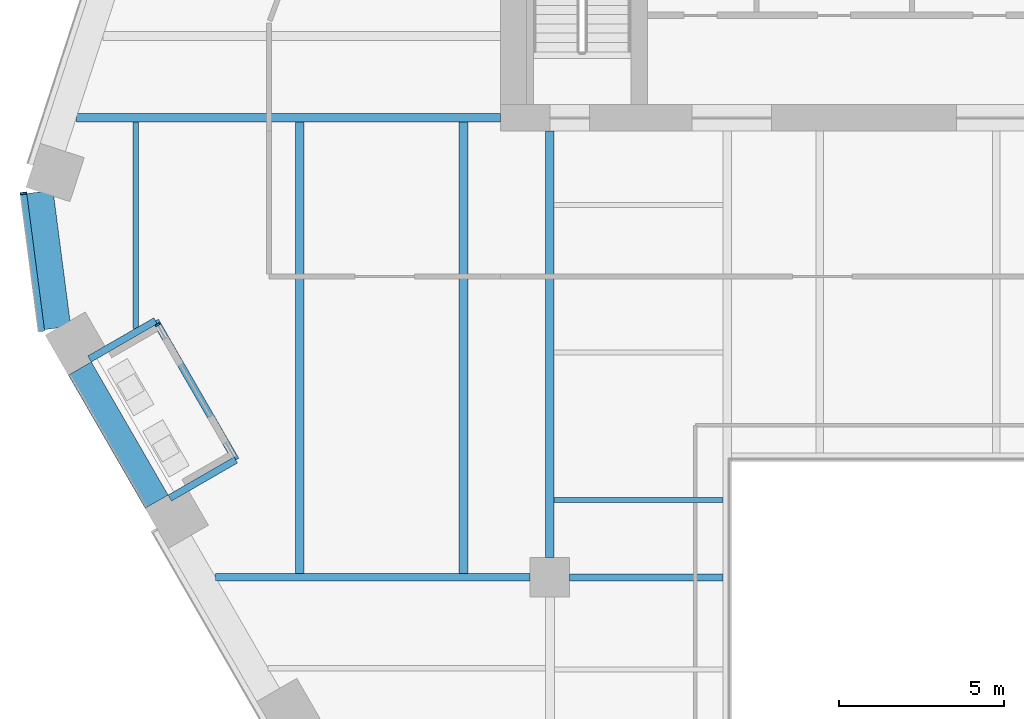
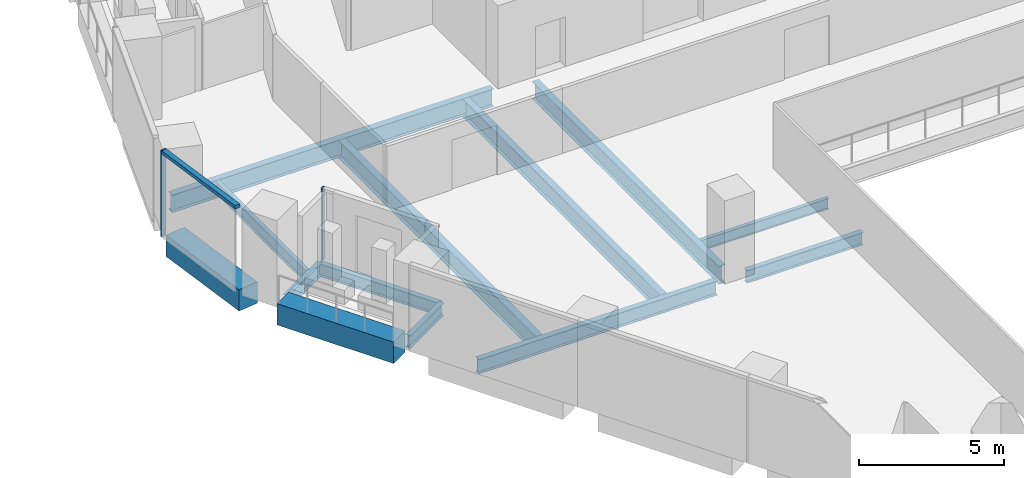
# One storey, part 3 of 24: 13 beams, 3 members, 2 elements without a shape of their own.
"""IFC4 building model written with IfcOpenShell, lengths in metres."""

from ifc_helpers import new_model, si_unit, direction, frame, origin, origin_2d, place, context, subcontext, project, spatial, rectangle, i_section, extrude, material, layer, layer_set, material_profile, profile_set, type_object, element, aggregate, save


model = new_model("IFC4")

# Units and contexts
model_context = context("Model", 3, precision=1e-05, world=origin(), true_north=direction((0.0, 1.0)))
body_context = subcontext(model_context, "Body", "Model", "MODEL_VIEW")
ifc_project = project(units=[si_unit("LENGTHUNIT", "METRE"), si_unit("AREAUNIT", "SQUARE_METRE"), si_unit("VOLUMEUNIT", "CUBIC_METRE"), si_unit("PLANEANGLEUNIT", "RADIAN"), si_unit("MASSUNIT", "GRAM", prefix="KILO")], contexts=[model_context])

# Site, building, storey
site_placement = place(None, origin())
site = spatial("IfcSite", under=ifc_project, at=site_placement, CompositionType="ELEMENT")
building_placement = place(site_placement, origin())
building = spatial("IfcBuilding", under=site, at=building_placement, Name="Isthmus Gate Tower", CompositionType="ELEMENT")
storey_placement = place(building_placement, frame((0.0, 0.0, 159.0)))
storey = spatial("IfcBuildingStorey", under=building, at=storey_placement, Name="L39", CompositionType="ELEMENT", Elevation=159.0)

# Curtain wall, members
ifc_material_1 = material(Name="Aluminium, pale champagne anodised", Category="aluminium")
ifc_layer_1 = layer(ifc_material_1, 0.199951171875)
ifc_layer_set_1 = layer_set([ifc_layer_1], Name="CW-1 UNITISED CURTAIN WALL 200 DEEP")
curtain_wall_type_1 = type_object("IfcCurtainWallType", Name="CW-1 UNITISED CURTAIN WALL 200 DEEP", PredefinedType="NOTDEFINED", material=ifc_layer_set_1)
curtain_wall_1_placement = place(storey_placement, origin())
curtain_wall_1 = element("IfcCurtainWall", 1, at=curtain_wall_1_placement, inside=storey, type_object=curtain_wall_type_1, Name="CW-1 NW-SW L39", PredefinedType="NOTDEFINED")
ifc_material_2 = material(Name="Aluminium, pale champagne anodised", Category="aluminium")
ifc_material_profile_1 = material_profile(ifc_material_2, rectangle(XDim=0.06005859375, YDim=0.199951171875, at=origin_2d()), Name="60x200")
ifc_profile_set_1 = profile_set([ifc_material_profile_1], Name="Aluminium, pale champagne anodised")
member_type_1 = type_object("IfcMemberType", Name="CW-1 MULLION 60 X 200", PredefinedType="MULLION", material=ifc_profile_set_1)
member_1_placement = place(storey_placement, frame((-29.42724609375, -1.88525390625, 0.0), z_axis=(0.0, 0.0, 1.0), x_axis=(0.129164534, -0.991623175988, 0.0)))
member_1 = element("IfcMember", 2, at=member_1_placement, type_object=member_type_1, Name="CW-1 mullion", PredefinedType="MULLION", context=body_context, shape_type="SweptSolid", body=[
    extrude(rectangle(XDim=0.06005859375, YDim=0.199951171875, at=origin_2d()), origin(), (0.0, 0.0, 1.0), 3.64990234375),
])
ifc_material_3 = material(Name="Aluminium, pale champagne anodised", Category="aluminium")
ifc_material_profile_2 = material_profile(ifc_material_3, rectangle(XDim=0.199951171875, YDim=0.139892578125, at=origin_2d()), Name="200x140")
ifc_profile_set_2 = profile_set([ifc_material_profile_2], Name="Aluminium, pale champagne anodised")
member_type_2 = type_object("IfcMemberType", Name="CW-1 TRANSOM 200 X 140", PredefinedType="USERDEFINED", material=ifc_profile_set_2)
member_2_placement = place(storey_placement, frame((-29.42333984375, -1.9150390625, 3.580078125), z_axis=(0.129149481977, -0.991625136483, 0.0), x_axis=(0.991625136483, 0.129149481977, 0.0)))
member_2 = element("IfcMember", 3, at=member_2_placement, type_object=member_type_2, Name="CW-1 transom", ObjectType="TRANSOM", PredefinedType="USERDEFINED", context=body_context, shape_type="SweptSolid", body=[
    extrude(rectangle(XDim=0.199951171875, YDim=0.139892578125, at=origin_2d()), origin(), (0.0, 0.0, 1.0), 4.181396484375),
])
aggregate(curtain_wall_1, [member_1, member_2])

# Curtain wall, member
ifc_material_4 = material(Name="Aluminium, pale champagne anodised", Category="aluminium")
ifc_layer_2 = layer(ifc_material_4, 0.14990234375)
ifc_layer_set_2 = layer_set([ifc_layer_2], Name="CW-6 LOGGIA BACK WALL GLAZING 150 DEEP")
curtain_wall_type_2 = type_object("IfcCurtainWallType", Name="CW-6 LOGGIA BACK WALL GLAZING 150 DEEP", PredefinedType="NOTDEFINED", material=ifc_layer_set_2)
curtain_wall_2_placement = place(storey_placement, origin())
curtain_wall_2 = element("IfcCurtainWall", 4, at=curtain_wall_2_placement, inside=storey, type_object=curtain_wall_type_2, Name="CW-6 SW L39", PredefinedType="NOTDEFINED")
ifc_material_5 = material(Name="Aluminium, pale champagne anodised", Category="aluminium")
ifc_material_profile_3 = material_profile(ifc_material_5, rectangle(XDim=0.06005859375, YDim=0.14990234375, at=origin_2d()), Name="60x150")
ifc_profile_set_3 = profile_set([ifc_material_profile_3], Name="Aluminium, pale champagne anodised")
member_type_3 = type_object("IfcMemberType", Name="CW-6 MULLION 60 X 150", PredefinedType="MULLION", material=ifc_profile_set_3)
member_3_placement = place(storey_placement, frame((-25.368408203125, -5.86083984375, 0.0), z_axis=(0.0, 0.0, 1.0), x_axis=(0.5, -0.866025403784, 0.0)))
member_3 = element("IfcMember", 5, at=member_3_placement, type_object=member_type_3, Name="CW-6 mullion", PredefinedType="MULLION", context=body_context, shape_type="SweptSolid", body=[
    extrude(rectangle(XDim=0.06005859375, YDim=0.14990234375, at=origin_2d()), origin(), (0.0, 0.0, 1.0), 3.050048828125),
])
aggregate(curtain_wall_2, [member_3])

# Beams
ifc_material_6 = material(Name="Concrete f'c 60 MPa", Category="concrete")
ifc_material_profile_4 = material_profile(ifc_material_6, rectangle(XDim=0.800048828125, YDim=0.89990234375, at=origin_2d()), Name="RC 800X900")
ifc_profile_set_4 = profile_set([ifc_material_profile_4], Name="Concrete f'c 60 MPa")
beam_type_1 = type_object("IfcBeamType", Name="RC SPANDREL 800 X 900", PredefinedType="SPANDREL", material=ifc_profile_set_4)
beam_1_placement = place(storey_placement, frame((-25.396484375, -11.2119140625, -0.449951171875), z_axis=(-0.500023913295, 0.866011596997, 0.0), x_axis=(-0.866011596997, -0.500023913295, 0.0)))
element("IfcBeam", 6, at=beam_1_placement, inside=storey, type_object=beam_type_1, Name="str-spandrel-L39-19", PredefinedType="SPANDREL", context=body_context, shape_type="SweptSolid", body=[
    extrude(rectangle(XDim=0.800048828125, YDim=0.89990234375, at=origin_2d()), origin(), (0.0, 0.0, 1.0), 4.650146484375),
])
beam_2_placement = place(storey_placement, frame((-28.392822265625, -5.955810546875, -0.449951171875), z_axis=(-0.129170777359, 0.991622362735, 0.0), x_axis=(-0.991622362735, -0.129170777359, 0.0)))
element("IfcBeam", 7, at=beam_2_placement, inside=storey, type_object=beam_type_1, Name="str-spandrel-L39-20", PredefinedType="SPANDREL", context=body_context, shape_type="SweptSolid", body=[
    extrude(rectangle(XDim=0.800048828125, YDim=0.89990234375, at=origin_2d()), origin(), (0.0, 0.0, 1.0), 4.15234375),
])
ifc_material_7 = material(Name="Structural steel ASTM A992 Gr 50", Category="steel")
ifc_material_profile_5 = material_profile(ifc_material_7, i_section(OverallWidth=0.15234375, OverallDepth=0.45068359375, WebThickness=0.0078125, FlangeThickness=0.010986328125, at=origin_2d()), Name="W18X35")
ifc_profile_set_5 = profile_set([ifc_material_profile_5], Name="Structural steel ASTM A992 Gr 50")
beam_type_2 = type_object("IfcBeamType", Name="STEEL FLOOR BEAM W18X35", PredefinedType="JOIST", material=ifc_profile_set_5)
beam_3_placement = place(storey_placement, frame((-13.3681640625, -11.16259765625, -0.37548828125), z_axis=(1.0, 0.0, 0.0), x_axis=(0.0, 1.0, 0.0)))
element("IfcBeam", 8, at=beam_3_placement, inside=storey, type_object=beam_type_2, Name="str-beam-L39-06-00", PredefinedType="JOIST", context=body_context, shape_type="SweptSolid", body=[
    extrude(i_section(OverallWidth=0.15234375, OverallDepth=0.45068359375, WebThickness=0.0078125, FlangeThickness=0.010986328125, at=origin_2d()), origin(), (0.0, 0.0, 1.0), 5.1015625),
])
ifc_material_8 = material(Name="Structural steel ASTM A992 Gr 50", Category="steel")
ifc_material_profile_6 = material_profile(ifc_material_8, i_section(OverallWidth=0.1650390625, OverallDepth=0.52392578125, WebThickness=0.009521484375, FlangeThickness=0.010986328125, at=origin_2d()), Name="W21X44")
ifc_profile_set_6 = profile_set([ifc_material_profile_6], Name="Structural steel ASTM A992 Gr 50")
beam_type_3 = type_object("IfcBeamType", Name="STEEL FLOOR BEAM W21X44", PredefinedType="JOIST", material=ifc_profile_set_6)
beam_4_placement = place(storey_placement, frame((-26.028564453125, -5.965576171875, -0.411865234375), z_axis=(0.0, 1.0, 0.0), x_axis=(-1.0, 0.0, 0.0)))
element("IfcBeam", 9, at=beam_4_placement, inside=storey, type_object=beam_type_3, Name="str-beam-L39-02-00", PredefinedType="JOIST", context=body_context, shape_type="SweptSolid", body=[
    extrude(i_section(OverallWidth=0.1650390625, OverallDepth=0.52392578125, WebThickness=0.009521484375, FlangeThickness=0.010986328125, at=origin_2d()), origin(), (0.0, 0.0, 1.0), 6.23388671875),
])
ifc_material_9 = material(Name="Structural steel ASTM A992 Gr 50", Category="steel")
ifc_material_profile_7 = material_profile(ifc_material_9, i_section(OverallWidth=0.263427734375, OverallDepth=0.749267578125, WebThickness=0.0126953125, FlangeThickness=0.015869140625, at=origin_2d()), Name="W30X90")
ifc_profile_set_7 = profile_set([ifc_material_profile_7], Name="Structural steel ASTM A992 Gr 50")
beam_type_4 = type_object("IfcBeamType", Name="STEEL FLOOR BEAM W30X90", PredefinedType="JOIST", material=ifc_profile_set_7)
for number, where, z_axis, x_axis, name in (
    (10, (-21.06982421875, -13.3857421875, -0.524658203125), (0.0, 1.0, 0.0), (-1.0, 0.0, 0.0), "str-beam-L39-02-01"),
    (11, (-16.111083984375, -13.3857421875, -0.524658203125), (0.0, 1.0, 0.0), (-1.0, 0.0, 0.0), "str-beam-L39-02-02"),
):
    element("IfcBeam", number, at=place(storey_placement, frame(where, z_axis=z_axis, x_axis=x_axis)), inside=storey, type_object=beam_type_4, Name=name, PredefinedType="JOIST", context=body_context, shape_type="SweptSolid", body=[
        extrude(i_section(OverallWidth=0.263427734375, OverallDepth=0.749267578125, WebThickness=0.0126953125, FlangeThickness=0.015869140625, at=origin_2d()), origin(), (0.0, 0.0, 1.0), 13.654052734375),
    ])
ifc_material_10 = material(Name="Structural steel ASTM A992 Gr 50", Category="steel")
ifc_material_profile_8 = material_profile(ifc_material_10, i_section(OverallWidth=0.20947265625, OverallDepth=0.533447265625, WebThickness=0.009521484375, FlangeThickness=0.015869140625, at=origin_2d()), Name="W21X62")
ifc_profile_set_8 = profile_set([ifc_material_profile_8], Name="Structural steel ASTM A992 Gr 50")
beam_type_5 = type_object("IfcBeamType", Name="STEEL GIRDER W21X62", PredefinedType="BEAM", material=ifc_profile_set_8)
beam_5_placement = place(storey_placement, frame((-12.89990234375, -13.5, -0.416748046875), z_axis=(1.0, 0.0, 0.0), x_axis=(0.0, 1.0, 0.0)))
element("IfcBeam", 12, at=beam_5_placement, inside=storey, type_object=beam_type_5, Name="str-girder-L39-02", PredefinedType="BEAM", context=body_context, shape_type="SweptSolid", body=[
    extrude(i_section(OverallWidth=0.20947265625, OverallDepth=0.533447265625, WebThickness=0.009521484375, FlangeThickness=0.015869140625, at=origin_2d()), origin(), (0.0, 0.0, 1.0), 4.63330078125),
])
ifc_material_11 = material(Name="Structural steel ASTM A992 Gr 50", Category="steel")
ifc_material_profile_9 = material_profile(ifc_material_11, i_section(OverallWidth=0.228515625, OverallDepth=0.6064453125, WebThickness=0.010986328125, FlangeThickness=0.017578125, at=origin_2d()), Name="W24X76")
ifc_profile_set_9 = profile_set([ifc_material_profile_9], Name="Structural steel ASTM A992 Gr 50")
beam_type_6 = type_object("IfcBeamType", Name="STEEL GIRDER W24X76", PredefinedType="BEAM", material=ifc_profile_set_9)
beam_6_placement = place(storey_placement, frame((-23.613525390625, -13.5, -0.453125), z_axis=(1.0, 0.0, 0.0), x_axis=(0.0, 1.0, 0.0)))
element("IfcBeam", 13, at=beam_6_placement, inside=storey, type_object=beam_type_6, Name="str-girder-L39-01", PredefinedType="BEAM", context=body_context, shape_type="SweptSolid", body=[
    extrude(i_section(OverallWidth=0.228515625, OverallDepth=0.6064453125, WebThickness=0.010986328125, FlangeThickness=0.017578125, at=origin_2d()), origin(), (0.0, 0.0, 1.0), 9.513427734375),
])
ifc_material_12 = material(Name="Structural steel ASTM A992 Gr 50", Category="steel")
ifc_material_profile_10 = material_profile(ifc_material_12, i_section(OverallWidth=0.263427734375, OverallDepth=0.749267578125, WebThickness=0.0126953125, FlangeThickness=0.015869140625, at=origin_2d()), Name="W30X90")
ifc_profile_set_10 = profile_set([ifc_material_profile_10], Name="Structural steel ASTM A992 Gr 50")
beam_type_7 = type_object("IfcBeamType", Name="STEEL GIRDER W30X90", PredefinedType="BEAM", material=ifc_profile_set_10)
beam_7_placement = place(storey_placement, frame((-13.5, -12.89990234375, -0.524658203125), z_axis=(0.0, 1.0, 0.0), x_axis=(-1.0, 0.0, 0.0)))
element("IfcBeam", 14, at=beam_7_placement, inside=storey, type_object=beam_type_7, Name="str-girder-L39-08", PredefinedType="BEAM", context=body_context, shape_type="SweptSolid", body=[
    extrude(i_section(OverallWidth=0.263427734375, OverallDepth=0.749267578125, WebThickness=0.0126953125, FlangeThickness=0.015869140625, at=origin_2d()), origin(), (0.0, 0.0, 1.0), 12.89990234375),
])
beam_8_placement = place(storey_placement, frame((-15.0, 0.39990234375, -0.524658203125), z_axis=(-1.0, 0.0, 0.0), x_axis=(0.0, -1.0, 0.0)))
element("IfcBeam", 15, at=beam_8_placement, inside=storey, type_object=beam_type_7, Name="str-girder-L39-13", PredefinedType="BEAM", context=body_context, shape_type="SweptSolid", body=[
    extrude(i_section(OverallWidth=0.263427734375, OverallDepth=0.749267578125, WebThickness=0.0126953125, FlangeThickness=0.015869140625, at=origin_2d()), origin(), (0.0, 0.0, 1.0), 12.826416015625),
])
ifc_material_13 = material(Name="Structural steel ASTM A992 Gr 50", Category="steel")
ifc_material_profile_11 = material_profile(ifc_material_13, i_section(OverallWidth=0.20947265625, OverallDepth=0.533447265625, WebThickness=0.009521484375, FlangeThickness=0.015869140625, at=origin_2d()), Name="W21X62")
ifc_profile_set_11 = profile_set([ifc_material_profile_11], Name="Structural steel ASTM A992 Gr 50")
beam_type_8 = type_object("IfcBeamType", Name="STEEL TRIMMER W21X62", PredefinedType="BEAM", material=ifc_profile_set_11)
beam_9_placement = place(storey_placement, frame((-25.431640625, -5.74169921875, -0.416748046875), z_axis=(0.500023965831, -0.866011566663, 0.0), x_axis=(0.866011566663, 0.500023965831, 0.0)))
element("IfcBeam", 16, at=beam_9_placement, inside=storey, type_object=beam_type_8, Name="str-loggiatrim-L39-03-B", PredefinedType="BEAM", context=body_context, shape_type="SweptSolid", body=[
    extrude(i_section(OverallWidth=0.20947265625, OverallDepth=0.533447265625, WebThickness=0.009521484375, FlangeThickness=0.015869140625, at=origin_2d()), origin(), (0.0, 0.0, 1.0), 4.859619140625),
])
beam_10_placement = place(storey_placement, frame((-27.427490234375, -6.89404296875, -0.416748046875), z_axis=(0.866017993231, 0.500012835235, 0.0), x_axis=(-0.500012835235, 0.866017993231, 0.0)))
element("IfcBeam", 17, at=beam_10_placement, inside=storey, type_object=beam_type_8, Name="str-loggiatrim-L39-03-A", PredefinedType="BEAM", context=body_context, shape_type="SweptSolid", body=[
    extrude(i_section(OverallWidth=0.20947265625, OverallDepth=0.533447265625, WebThickness=0.009521484375, FlangeThickness=0.015869140625, at=origin_2d()), origin(), (0.0, 0.0, 1.0), 2.3046875),
])
beam_11_placement = place(storey_placement, frame((-24.997802734375, -11.1025390625, -0.416748046875), z_axis=(0.866044474677, 0.49996696679, 0.0), x_axis=(-0.49996696679, 0.866044474677, 0.0)))
element("IfcBeam", 18, at=beam_11_placement, inside=storey, type_object=beam_type_8, Name="str-loggiatrim-L39-03-C", PredefinedType="BEAM", context=body_context, shape_type="SweptSolid", body=[
    extrude(i_section(OverallWidth=0.20947265625, OverallDepth=0.533447265625, WebThickness=0.009521484375, FlangeThickness=0.015869140625, at=origin_2d()), origin(), (0.0, 0.0, 1.0), 2.304931640625),
])

save(model, "model.ifc")
